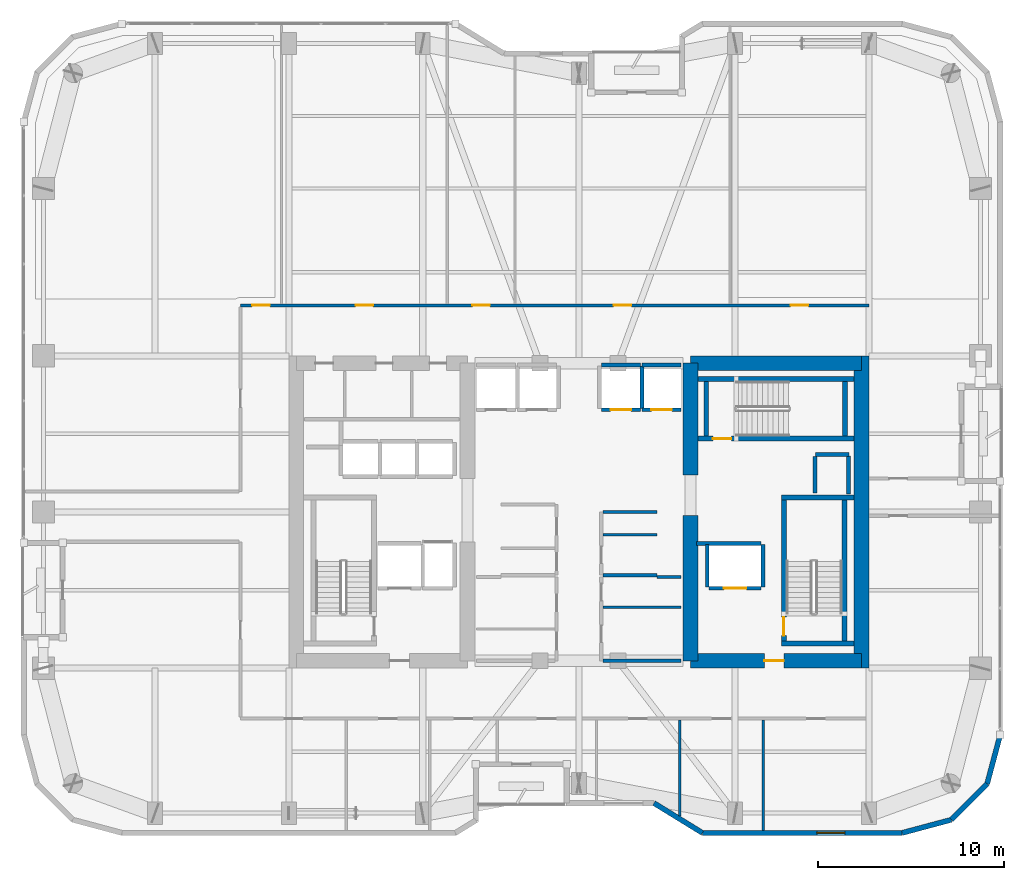
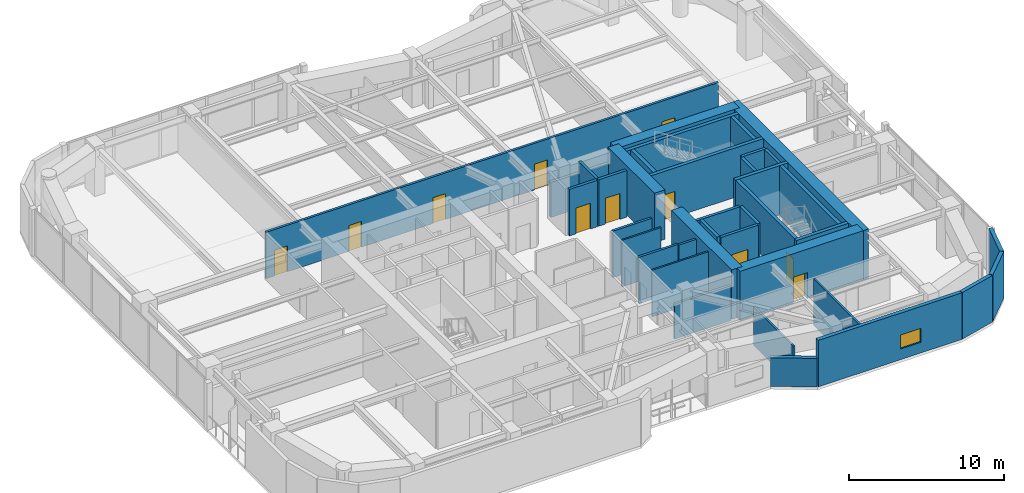
# One storey, part 26 of 30: 39 walls, 11 doors, 1 window, 12 openings.
"""IFC4 building model written with IfcOpenShell, lengths in metres."""

from ifc_helpers import new_model, si_unit, direction, frame, frame_2d, origin, place, context, subcontext, project, spatial, rectangle, extrude, material, layer, layer_set, type_object, element, fill, save


model = new_model("IFC4")

# Units and contexts
model_context = context("Model", 3, precision=1e-05, world=origin(), true_north=direction((0.0, 1.0)))
body_context = subcontext(model_context, "Body", "Model", "MODEL_VIEW")
ifc_project = project(units=[si_unit("LENGTHUNIT", "METRE"), si_unit("AREAUNIT", "SQUARE_METRE"), si_unit("VOLUMEUNIT", "CUBIC_METRE"), si_unit("PLANEANGLEUNIT", "RADIAN"), si_unit("MASSUNIT", "GRAM", prefix="KILO")], contexts=[model_context])

# Site, building, storey
site_placement = place(None, origin())
site = spatial("IfcSite", under=ifc_project, at=site_placement, CompositionType="ELEMENT")
building_placement = place(site_placement, origin())
building = spatial("IfcBuilding", under=site, at=building_placement, Name="Kiyonajd Concourse Tower", CompositionType="ELEMENT")
storey_placement = place(building_placement, frame((0.0, 0.0, 170.10009765625)))
storey = spatial("IfcBuildingStorey", under=building, at=storey_placement, Name="L43", CompositionType="ELEMENT", Elevation=170.10009765625)

# Walls
ifc_material_1 = material(Name="Concrete C70/85", Category="concrete")
ifc_layer_1 = layer(ifc_material_1, 0.800048828125)
ifc_layer_set_1 = layer_set([ifc_layer_1], Name="Concrete C70/85")
wall_type_1 = type_object("IfcWallType", Name="WL-CORE-800", PredefinedType="SHEAR", material=ifc_layer_set_1)
wall_1_placement = place(storey_placement, frame((54.0, 28.0, 0.0), z_axis=(0.0, 0.0, 1.0), x_axis=(0.0, 1.0, 0.0)))
element("IfcWall", 1, at=wall_1_placement, inside=storey, type_object=wall_type_1, Name="L43 East Core Inner South Shear Wall", PredefinedType="SHEAR", context=body_context, shape_type="SweptSolid", body=[
    extrude(rectangle(XDim=7.800048828125, YDim=0.800048828125, at=frame_2d((3.89990234375, 0.0))), origin(), (0.0, 0.0, 1.0), 3.89990234375),
])
wall_2_placement = place(storey_placement, frame((54.0, 38.0, 0.0), z_axis=(0.0, 0.0, 1.0), x_axis=(0.0, 1.0, 0.0)))
element("IfcWall", 2, at=wall_2_placement, inside=storey, type_object=wall_type_1, Name="L43 East Core Inner North Shear Wall", PredefinedType="SHEAR", context=body_context, shape_type="SweptSolid", body=[
    extrude(rectangle(XDim=6.0, YDim=0.800048828125, at=frame_2d((3.0, 0.0))), origin(), (0.0, 0.0, 1.0), 3.89990234375),
])
wall_3_placement = place(storey_placement, frame((63.199951171875, 27.60009765625, 0.0), z_axis=(0.0, 0.0, 1.0), x_axis=(0.0, 1.0, 0.0)))
element("IfcWall", 3, at=wall_3_placement, inside=storey, type_object=wall_type_1, Name="L43 East Core Outer Shear Wall", PredefinedType="SHEAR", context=body_context, shape_type="SweptSolid", body=[
    extrude(rectangle(XDim=16.7998046875, YDim=0.800048828125, at=frame_2d((8.39990234375, 0.0))), origin(), (0.0, 0.0, 1.0), 3.89990234375),
])

# Wall, opening, door
wall_4_placement = place(storey_placement, frame((54.0, 28.0, 0.0), z_axis=(0.0, 0.0, 1.0), x_axis=(1.0, 0.0, 0.0)))
wall_4 = element("IfcWall", 4, at=wall_4_placement, inside=storey, type_object=wall_type_1, Name="L43 East Core South Shear Wall", PredefinedType="SHEAR", context=body_context, shape_type="SweptSolid", body=[
    extrude(rectangle(XDim=9.199951171875, YDim=0.800048828125, at=frame_2d((4.60009765625, 0.0))), origin(), (0.0, 0.0, 1.0), 3.89990234375),
])
opening_1_placement = place(wall_4_placement, frame((3.97509765625, 0.0, 0.0)))
opening_1 = element("IfcOpeningElement", 5, at=opening_1_placement, cuts=wall_4, Name="Opening DF5", PredefinedType="OPENING", context=body_context, shape_type="SweptSolid", body=[
    extrude(rectangle(XDim=1.050048828125, YDim=2.0400390625, at=frame_2d((0.52490234375, 1.02001953125))), frame((0.0, 0.409912109375, 0.0), z_axis=(0.0, -1.0, 0.0), x_axis=(1.0, 0.0, 0.0)), (0.0, 0.0, 1.0), 0.820068359375),
])
ifc_material_2 = material(Name="Brushed Stainless Steel Cab Assembly", Category="steel")
door_type_1 = type_object("IfcDoorType", Name="DR-FD45-1050", OperationType="NOTDEFINED", PredefinedType="DOOR", material=ifc_material_2)
door_1_placement = place(opening_1_placement, origin())
door_1 = element("IfcDoor", 6, at=door_1_placement, inside=storey, type_object=door_type_1, Name="L43 Firefighting Lift Lobby E Smoke Door", OperationType="SINGLE_SWING_RIGHT", OverallHeight=2.0400390625, OverallWidth=1.050048828125, PredefinedType="DOOR", context=body_context, shape_type="SweptSolid", body=[
    extrude(rectangle(XDim=1.050048828125, YDim=2.0400390625, at=frame_2d((0.52490234375, 1.02001953125))), frame((0.0, 0.02490234375, 0.0), z_axis=(0.0, -1.0, 0.0), x_axis=(1.0, 0.0, 0.0)), (0.0, 0.0, 1.0), 0.050048828125),
])
fill(opening_1, door_1)

# Walls
wall_5_placement = place(storey_placement, frame((54.0, 44.0, 0.0), z_axis=(0.0, 0.0, 1.0), x_axis=(1.0, 0.0, 0.0)))
element("IfcWall", 7, at=wall_5_placement, inside=storey, type_object=wall_type_1, Name="L43 East Core North Shear Wall", PredefinedType="SHEAR", context=body_context, shape_type="SweptSolid", body=[
    extrude(rectangle(XDim=9.199951171875, YDim=0.800048828125, at=frame_2d((4.60009765625, 0.0))), origin(), (0.0, 0.0, 1.0), 3.89990234375),
])
ifc_material_3 = material(Name="Precast concrete C50/60", Category="concrete")
ifc_layer_2 = layer(ifc_material_3, 0.280029296875)
ifc_layer_set_2 = layer_set([ifc_layer_2], Name="Precast concrete C50/60")
wall_type_2 = type_object("IfcWallType", Name="WL-EXT-280", PredefinedType="SOLIDWALL", material=ifc_layer_set_2)
wall_6_placement = place(storey_placement, frame((70.659912109375, 24.018310546875, 0.0), z_axis=(0.0, 0.0, 1.0), x_axis=(-0.258672222976, -0.9659651552, 0.0)))
element("IfcWall", 8, at=wall_6_placement, inside=storey, type_object=wall_type_2, Name="L43 Exterior Concrete Frame Wall 25", PredefinedType="SOLIDWALL", context=body_context, shape_type="SweptSolid", body=[
    extrude(rectangle(XDim=2.739013671875, YDim=0.280029296875, at=frame_2d((1.36962890625, 0.0))), origin(), (0.0, 0.0, 1.0), 3.679931640625),
])
wall_7_placement = place(storey_placement, frame((69.951416015625, 21.37255859375, 0.0), z_axis=(0.0, 0.0, 1.0), x_axis=(-0.707061915429, -0.707151644098, 0.0)))
element("IfcWall", 9, at=wall_7_placement, inside=storey, type_object=wall_type_2, Name="L43 Exterior Concrete Frame Wall 26", PredefinedType="SOLIDWALL", context=body_context, shape_type="SweptSolid", body=[
    extrude(rectangle(XDim=2.720947265625, YDim=0.280029296875, at=frame_2d((1.3603515625, 0.0))), origin(), (0.0, 0.0, 1.0), 3.679931640625),
])
wall_8_placement = place(storey_placement, frame((68.027587890625, 19.448486328125, 0.0), z_axis=(0.0, 0.0, 1.0), x_axis=(-0.965971118627, -0.258649952598, 0.0)))
element("IfcWall", 10, at=wall_8_placement, inside=storey, type_object=wall_type_2, Name="L43 Exterior Concrete Frame Wall 27", PredefinedType="SOLIDWALL", context=body_context, shape_type="SweptSolid", body=[
    extrude(rectangle(XDim=2.7392578125, YDim=0.280029296875, at=frame_2d((1.36962890625, 0.0))), origin(), (0.0, 0.0, 1.0), 3.679931640625),
])

# Wall, opening, window
wall_9_placement = place(storey_placement, frame((65.381591796875, 18.739990234375, 0.0), z_axis=(0.0, 0.0, 1.0), x_axis=(-1.0, 0.0, 0.0)))
wall_9 = element("IfcWall", 11, at=wall_9_placement, inside=storey, type_object=wall_type_2, Name="L43 Exterior Concrete Frame Wall 28", PredefinedType="SOLIDWALL", context=body_context, shape_type="SweptSolid", body=[
    extrude(rectangle(XDim=10.741943359375, YDim=0.280029296875, at=frame_2d((5.37109375, 0.0))), origin(), (0.0, 0.0, 1.0), 3.679931640625),
])
opening_2_placement = place(wall_9_placement, frame((3.0810546875, 0.0, 0.85009765625)))
opening_2 = element("IfcOpeningElement", 12, at=opening_2_placement, cuts=wall_9, Name="Opening WN2", PredefinedType="OPENING", context=body_context, shape_type="SweptSolid", body=[
    extrude(rectangle(XDim=1.5, YDim=1.10009765625, at=frame_2d((0.75, 0.550048828125))), frame((0.0, 0.14990234375, 0.0), z_axis=(0.0, -1.0, 0.0), x_axis=(1.0, 0.0, 0.0)), (0.0, 0.0, 1.0), 0.300048828125),
])
ifc_material_4 = material(Name="Double Low-E Insulated Glass", Category="glass")
window_type = type_object("IfcWindowType", Name="WN-VIS-1500x1100", PartitioningType="SINGLE_PANEL", PredefinedType="WINDOW", material=ifc_material_4)
window_placement = place(opening_2_placement, origin())
window = element("IfcWindow", 13, at=window_placement, inside=storey, type_object=window_type, Name="L43 Modular Facade Vision Window 28", OverallHeight=1.10009765625, OverallWidth=1.5, PartitioningType="SINGLE_PANEL", PredefinedType="WINDOW", context=body_context, shape_type="SweptSolid", body=[
    extrude(rectangle(XDim=1.5, YDim=1.10009765625, at=frame_2d((0.75, 0.550048828125))), frame((0.0, 0.030029296875, 0.0), z_axis=(0.0, -1.0, 0.0), x_axis=(1.0, 0.0, 0.0)), (0.0, 0.0, 1.0), 0.06005859375),
])
fill(opening_2, window)

# Walls
wall_10_placement = place(storey_placement, frame((54.6396484375, 18.739990234375, 0.0), z_axis=(0.0, 0.0, 1.0), x_axis=(-0.851652825334, 0.524106349037, 0.0)))
element("IfcWall", 14, at=wall_10_placement, inside=storey, type_object=wall_type_2, Name="L43 Exterior Concrete Frame Wall 29", PredefinedType="SOLIDWALL", context=body_context, shape_type="SweptSolid", body=[
    extrude(rectangle(XDim=3.052978515625, YDim=0.280029296875, at=frame_2d((1.5263671875, 0.0))), origin(), (0.0, 0.0, 1.0), 2.264892578125),
])
ifc_material_5 = material(Name="Gypsum Board on Cold-Formed Steel Stud", Category="steel")
ifc_layer_3 = layer(ifc_material_5, 0.125)
ifc_layer_set_3 = layer_set([ifc_layer_3], Name="Gypsum Board on Cold-Formed Steel Stud")
wall_type_3 = type_object("IfcWallType", Name="WL-PART-125", PredefinedType="PARTITIONING", material=ifc_layer_set_3)
wall_11_placement = place(storey_placement, frame((49.287109375, 34.77587890625, 0.0), z_axis=(0.0, 0.0, 1.0), x_axis=(1.0, 0.0, 0.0)))
element("IfcWall", 15, at=wall_11_placement, inside=storey, type_object=wall_type_3, Name="L43 Interior Partition Wall", PredefinedType="PARTITIONING", context=body_context, shape_type="SweptSolid", body=[
    extrude(rectangle(XDim=2.912841796875, YDim=0.125, at=frame_2d((1.45654296875, 0.0))), origin(), (0.0, 0.0, 1.0), 3.679931640625),
])
wall_12_placement = place(storey_placement, frame((49.287109375, 30.8798828125, 0.0), z_axis=(0.0, 0.0, 1.0), x_axis=(1.0, 0.0, 0.0)))
element("IfcWall", 16, at=wall_12_placement, inside=storey, type_object=wall_type_3, Name="L43 Interior Partition Wall", PredefinedType="PARTITIONING", context=body_context, shape_type="SweptSolid", body=[
    extrude(rectangle(XDim=4.212890625, YDim=0.125, at=frame_2d((2.1064453125, 0.0))), origin(), (0.0, 0.0, 1.0), 3.679931640625),
])
wall_13_placement = place(storey_placement, frame((53.429931640625, 19.653076171875, 0.0), z_axis=(0.0, 0.0, 1.0), x_axis=(0.0, 1.0, 0.0)))
element("IfcWall", 17, at=wall_13_placement, inside=storey, type_object=wall_type_3, Name="L43 Interior Partition Wall", PredefinedType="PARTITIONING", context=body_context, shape_type="SweptSolid", body=[
    extrude(rectangle(XDim=5.14990234375, YDim=0.125, at=frame_2d((2.574951171875, 0.0))), origin(), (0.0, 0.0, 1.0), 3.04296875),
])
wall_14_placement = place(storey_placement, frame((57.909912109375, 18.875, 0.0), z_axis=(0.0, 0.0, 1.0), x_axis=(0.0, 1.0, 0.0)))
element("IfcWall", 18, at=wall_14_placement, inside=storey, type_object=wall_type_3, Name="L43 Interior Partition Wall", PredefinedType="PARTITIONING", context=body_context, shape_type="SweptSolid", body=[
    extrude(rectangle(XDim=5.927978515625, YDim=0.125, at=frame_2d((2.9638671875, 0.0))), origin(), (0.0, 0.0, 1.0), 3.679931640625),
])
ifc_layer_4 = layer(ifc_material_5, 0.2099609375)
ifc_layer_set_4 = layer_set([ifc_layer_4], Name="Gypsum Board on Cold-Formed Steel Stud")
wall_type_4 = type_object("IfcWallType", Name="WL-SHAFT-210", PredefinedType="PARTITIONING", material=ifc_layer_set_4)
wall_15_placement = place(storey_placement, frame((60.719970703125, 39.10009765625, 0.0), z_axis=(0.0, 0.0, 1.0), x_axis=(1.0, 0.0, 0.0)))
element("IfcWall", 19, at=wall_15_placement, inside=storey, type_object=wall_type_4, Name="L43 Shaft Enclosure Wall", PredefinedType="PARTITIONING", context=body_context, shape_type="SweptSolid", body=[
    extrude(rectangle(XDim=1.800048828125, YDim=0.2099609375, at=frame_2d((0.89990234375, 0.0))), origin(), (0.0, 0.0, 1.0), 3.679931640625),
])
wall_16_placement = place(storey_placement, frame((60.699951171875, 37.02001953125, 0.0), z_axis=(0.0, 0.0, 1.0), x_axis=(0.0, 1.0, 0.0)))
element("IfcWall", 20, at=wall_16_placement, inside=storey, type_object=wall_type_4, Name="L43 Shaft Enclosure Wall", PredefinedType="PARTITIONING", context=body_context, shape_type="SweptSolid", body=[
    extrude(rectangle(XDim=1.9599609375, YDim=0.2099609375, at=frame_2d((0.97998046875, 0.0))), origin(), (0.0, 0.0, 1.0), 3.679931640625),
])
wall_17_placement = place(storey_placement, frame((62.5, 36.97998046875, 0.0), z_axis=(0.0, 0.0, 1.0), x_axis=(0.0, 1.0, 0.0)))
element("IfcWall", 21, at=wall_17_placement, inside=storey, type_object=wall_type_4, Name="L43 Shaft Enclosure Wall", PredefinedType="PARTITIONING", context=body_context, shape_type="SweptSolid", body=[
    extrude(rectangle(XDim=2.0400390625, YDim=0.2099609375, at=frame_2d((1.02001953125, 0.0))), origin(), (0.0, 0.0, 1.0), 3.679931640625),
])

# Wall, opening, door
wall_18_placement = place(storey_placement, frame((55.0, 31.89990234375, 0.0), z_axis=(0.0, 0.0, 1.0), x_axis=(1.0, 0.0, 0.0)))
wall_18 = element("IfcWall", 22, at=wall_18_placement, inside=storey, type_object=wall_type_4, Name="L43 Shaft Enclosure Wall", PredefinedType="PARTITIONING", context=body_context, shape_type="SweptSolid", body=[
    extrude(rectangle(XDim=2.800048828125, YDim=0.2099609375, at=frame_2d((1.39990234375, 0.0))), origin(), (0.0, 0.0, 1.0), 3.679931640625),
])
opening_3_placement = place(wall_18_placement, frame((0.800048828125, 0.0, 0.0)))
opening_3 = element("IfcOpeningElement", 23, at=opening_3_placement, cuts=wall_18, Name="Opening LD2", PredefinedType="OPENING", context=body_context, shape_type="SweptSolid", body=[
    extrude(rectangle(XDim=1.199951171875, YDim=2.0400390625, at=frame_2d((0.60009765625, 1.02001953125))), frame((0.0, 0.114990234375, 0.0), z_axis=(0.0, -1.0, 0.0), x_axis=(1.0, 0.0, 0.0)), (0.0, 0.0, 1.0), 0.22998046875),
])
door_type_2 = type_object("IfcDoorType", Name="DR-LD-1200", OperationType="DOUBLE_DOOR_SLIDING", PredefinedType="DOOR", material=ifc_material_2)
door_2_placement = place(opening_3_placement, origin())
door_2 = element("IfcDoor", 24, at=door_2_placement, inside=storey, type_object=door_type_2, Name="L43 Lift FFL2 Sliding Landing Door", OperationType="DOUBLE_DOOR_SLIDING", OverallHeight=2.0400390625, OverallWidth=1.199951171875, PredefinedType="DOOR", context=body_context, shape_type="SweptSolid", body=[
    extrude(rectangle(XDim=1.199951171875, YDim=2.0400390625, at=frame_2d((0.60009765625, 1.02001953125))), frame((0.0, 0.02490234375, 0.0), z_axis=(0.0, -1.0, 0.0), x_axis=(1.0, 0.0, 0.0)), (0.0, 0.0, 1.0), 0.050048828125),
])
fill(opening_3, door_2)

# Walls
wall_19_placement = place(storey_placement, frame((54.320068359375, 34.300048828125, 0.0), z_axis=(0.0, 0.0, 1.0), x_axis=(1.0, 0.0, 0.0)))
element("IfcWall", 25, at=wall_19_placement, inside=storey, type_object=wall_type_4, Name="L43 Shaft Enclosure Wall", PredefinedType="PARTITIONING", context=body_context, shape_type="SweptSolid", body=[
    extrude(rectangle(XDim=3.47998046875, YDim=0.2099609375, at=frame_2d((1.739990234375, 0.0))), origin(), (0.0, 0.0, 1.0), 3.679931640625),
])
for number, where, z_axis, x_axis, name in (
    (26, (54.89990234375, 31.9599609375, 0.0), (0.0, 0.0, 1.0), (0.0, 1.0, 0.0), "L43 Shaft Enclosure Wall"),
    (27, (57.89990234375, 31.9599609375, 0.0), (0.0, 0.0, 1.0), (0.0, 1.0, 0.0), "L43 Shaft Enclosure Wall"),
):
    element("IfcWall", number, at=place(storey_placement, frame(where, z_axis=z_axis, x_axis=x_axis)), inside=storey, type_object=wall_type_4, Name=name, PredefinedType="PARTITIONING", context=body_context, shape_type="SweptSolid", body=[
        extrude(rectangle(XDim=2.280029296875, YDim=0.2099609375, at=frame_2d((1.14013671875, 0.0))), origin(), (0.0, 0.0, 1.0), 3.679931640625),
    ])

# Wall, opening, door
wall_20_placement = place(storey_placement, frame((49.199951171875, 41.5, 0.0), z_axis=(0.0, 0.0, 1.0), x_axis=(1.0, 0.0, 0.0)))
wall_20 = element("IfcWall", 28, at=wall_20_placement, inside=storey, type_object=wall_type_4, Name="L43 Shaft Enclosure Wall", PredefinedType="PARTITIONING", context=body_context, shape_type="SweptSolid", body=[
    extrude(rectangle(XDim=2.10009765625, YDim=0.2099609375, at=frame_2d((1.050048828125, 0.0))), origin(), (0.0, 0.0, 1.0), 3.679931640625),
])
opening_4_placement = place(wall_20_placement, frame((0.5, 0.0, 0.0)))
opening_4 = element("IfcOpeningElement", 29, at=opening_4_placement, cuts=wall_20, Name="Opening LD1", PredefinedType="OPENING", context=body_context, shape_type="SweptSolid", body=[
    extrude(rectangle(XDim=1.10009765625, YDim=2.0400390625, at=frame_2d((0.550048828125, 1.02001953125))), frame((0.0, 0.114990234375, 0.0), z_axis=(0.0, -1.0, 0.0), x_axis=(1.0, 0.0, 0.0)), (0.0, 0.0, 1.0), 0.22998046875),
])
door_type_3 = type_object("IfcDoorType", Name="DR-LD-1100", OperationType="DOUBLE_DOOR_SLIDING", PredefinedType="DOOR", material=ifc_material_2)
door_3_placement = place(opening_4_placement, origin())
door_3 = element("IfcDoor", 30, at=door_3_placement, inside=storey, type_object=door_type_3, Name="L43 Lift PL-M3 Sliding Landing Door", OperationType="DOUBLE_DOOR_SLIDING", OverallHeight=2.0400390625, OverallWidth=1.10009765625, PredefinedType="DOOR", context=body_context, shape_type="SweptSolid", body=[
    extrude(rectangle(XDim=1.10009765625, YDim=2.0400390625, at=frame_2d((0.550048828125, 1.02001953125))), frame((0.0, 0.02490234375, 0.0), z_axis=(0.0, -1.0, 0.0), x_axis=(1.0, 0.0, 0.0)), (0.0, 0.0, 1.0), 0.050048828125),
])
fill(opening_4, door_3)

# Walls
wall_21_placement = place(storey_placement, frame((49.199951171875, 43.89990234375, 0.0), z_axis=(0.0, 0.0, 1.0), x_axis=(1.0, 0.0, 0.0)))
element("IfcWall", 31, at=wall_21_placement, inside=storey, type_object=wall_type_4, Name="L43 Shaft Enclosure Wall", PredefinedType="PARTITIONING", context=body_context, shape_type="SweptSolid", body=[
    extrude(rectangle(XDim=2.10009765625, YDim=0.2099609375, at=frame_2d((1.050048828125, 0.0))), origin(), (0.0, 0.0, 1.0), 2.764892578125),
])
wall_22_placement = place(storey_placement, frame((51.39990234375, 41.56005859375, 0.0), z_axis=(0.0, 0.0, 1.0), x_axis=(0.0, 1.0, 0.0)))
element("IfcWall", 32, at=wall_22_placement, inside=storey, type_object=wall_type_4, Name="L43 Shaft Enclosure Wall", PredefinedType="PARTITIONING", context=body_context, shape_type="SweptSolid", body=[
    extrude(rectangle(XDim=2.280029296875, YDim=0.2099609375, at=frame_2d((1.14013671875, 0.0))), origin(), (0.0, 0.0, 1.0), 3.679931640625),
])

# Wall, opening, door
wall_23_placement = place(storey_placement, frame((51.39990234375, 41.5, 0.0), z_axis=(0.0, 0.0, 1.0), x_axis=(1.0, 0.0, 0.0)))
wall_23 = element("IfcWall", 33, at=wall_23_placement, inside=storey, type_object=wall_type_4, Name="L43 Shaft Enclosure Wall", PredefinedType="PARTITIONING", context=body_context, shape_type="SweptSolid", body=[
    extrude(rectangle(XDim=2.10009765625, YDim=0.2099609375, at=frame_2d((1.050048828125, 0.0))), origin(), (0.0, 0.0, 1.0), 3.679931640625),
])
opening_5_placement = place(wall_23_placement, frame((0.5, 0.0, 0.0)))
opening_5 = element("IfcOpeningElement", 34, at=opening_5_placement, cuts=wall_23, Name="Opening LD1", PredefinedType="OPENING", context=body_context, shape_type="SweptSolid", body=[
    extrude(rectangle(XDim=1.10009765625, YDim=2.0400390625, at=frame_2d((0.550048828125, 1.02001953125))), frame((0.0, 0.114990234375, 0.0), z_axis=(0.0, -1.0, 0.0), x_axis=(1.0, 0.0, 0.0)), (0.0, 0.0, 1.0), 0.22998046875),
])
door_4_placement = place(opening_5_placement, origin())
door_4 = element("IfcDoor", 35, at=door_4_placement, inside=storey, type_object=door_type_3, Name="L43 Lift PL-M4 Sliding Landing Door", OperationType="DOUBLE_DOOR_SLIDING", OverallHeight=2.0400390625, OverallWidth=1.10009765625, PredefinedType="DOOR", context=body_context, shape_type="SweptSolid", body=[
    extrude(rectangle(XDim=1.10009765625, YDim=2.0400390625, at=frame_2d((0.550048828125, 1.02001953125))), frame((0.0, 0.02490234375, 0.0), z_axis=(0.0, -1.0, 0.0), x_axis=(1.0, 0.0, 0.0)), (0.0, 0.0, 1.0), 0.050048828125),
])
fill(opening_5, door_4)

# Walls
wall_24_placement = place(storey_placement, frame((51.39990234375, 43.89990234375, 0.0), z_axis=(0.0, 0.0, 1.0), x_axis=(1.0, 0.0, 0.0)))
element("IfcWall", 36, at=wall_24_placement, inside=storey, type_object=wall_type_4, Name="L43 Shaft Enclosure Wall", PredefinedType="PARTITIONING", context=body_context, shape_type="SweptSolid", body=[
    extrude(rectangle(XDim=2.10009765625, YDim=0.2099609375, at=frame_2d((1.050048828125, 0.0))), origin(), (0.0, 0.0, 1.0), 2.764892578125),
])
ifc_layer_5 = layer(ifc_material_5, 0.169921875)
ifc_layer_set_5 = layer_set([ifc_layer_5], Name="Gypsum Board on Cold-Formed Steel Stud")
wall_type_5 = type_object("IfcWallType", Name="WL-SMK-170", PredefinedType="PARTITIONING", material=ifc_layer_set_5)
for number, where, z_axis, x_axis, name in (
    (37, (49.287109375, 32.60009765625, 0.0), (0.0, 0.0, 1.0), (1.0, 0.0, 0.0), "L43 Interior Partition Wall"),
    (38, (49.287109375, 36.0, 0.0), (0.0, 0.0, 1.0), (1.0, 0.0, 0.0), "L43 Interior Partition Wall"),
):
    element("IfcWall", number, at=place(storey_placement, frame(where, z_axis=z_axis, x_axis=x_axis)), inside=storey, type_object=wall_type_5, Name=name, PredefinedType="PARTITIONING", context=body_context, shape_type="SweptSolid", body=[
        extrude(rectangle(XDim=2.912841796875, YDim=0.169921875, at=frame_2d((1.45654296875, 0.0))), origin(), (0.0, 0.0, 1.0), 3.679931640625),
    ])
wall_25_placement = place(storey_placement, frame((49.287109375, 28.0, 0.0), z_axis=(0.0, 0.0, 1.0), x_axis=(1.0, 0.0, 0.0)))
element("IfcWall", 39, at=wall_25_placement, inside=storey, type_object=wall_type_5, Name="L43 Interior Partition Wall", PredefinedType="PARTITIONING", context=body_context, shape_type="SweptSolid", body=[
    extrude(rectangle(XDim=4.212890625, YDim=0.169921875, at=frame_2d((2.1064453125, 0.0))), origin(), (0.0, 0.0, 1.0), 2.764892578125),
])
wall_26_placement = place(storey_placement, frame((52.199951171875, 32.5, 0.0), z_axis=(0.0, 0.0, 1.0), x_axis=(1.0, 0.0, 0.0)))
element("IfcWall", 40, at=wall_26_placement, inside=storey, type_object=wall_type_5, Name="L43 Interior Partition Wall", PredefinedType="PARTITIONING", context=body_context, shape_type="SweptSolid", body=[
    extrude(rectangle(XDim=1.300048828125, YDim=0.169921875, at=frame_2d((0.64990234375, 0.0))), origin(), (0.0, 0.0, 1.0), 3.679931640625),
])

# Wall, openings, doors
wall_27_placement = place(storey_placement, frame((29.800048828125, 47.110107421875, 0.0), z_axis=(0.0, 0.0, 1.0), x_axis=(1.0, 0.0, 0.0)))
wall_27 = element("IfcWall", 41, at=wall_27_placement, inside=storey, type_object=wall_type_5, Name="L43 Interior Partition Wall", PredefinedType="PARTITIONING", context=body_context, shape_type="SweptSolid", body=[
    extrude(rectangle(XDim=33.800048828125, YDim=0.169921875, at=frame_2d((16.89990234375, 0.0))), origin(), (0.0, 0.0, 1.0), 3.679931640625),
])
opening_6_placement = place(wall_27_placement, frame((0.625, 0.0, 0.0)))
opening_6 = element("IfcOpeningElement", 42, at=opening_6_placement, cuts=wall_27, Name="Opening DI1", PredefinedType="OPENING", context=body_context, shape_type="SweptSolid", body=[
    extrude(rectangle(XDim=0.949951171875, YDim=2.0400390625, at=frame_2d((0.47509765625, 1.02001953125))), frame((0.0, 0.094970703125, 0.0), z_axis=(0.0, -1.0, 0.0), x_axis=(1.0, 0.0, 0.0)), (0.0, 0.0, 1.0), 0.18994140625),
])
opening_7_placement = place(wall_27_placement, frame((6.18505859375, 0.0, 0.0)))
opening_7 = element("IfcOpeningElement", 43, at=opening_7_placement, cuts=wall_27, Name="Opening DI1", PredefinedType="OPENING", context=body_context, shape_type="SweptSolid", body=[
    extrude(rectangle(XDim=0.949951171875, YDim=2.0400390625, at=frame_2d((0.47509765625, 1.02001953125))), frame((0.0, 0.094970703125, 0.0), z_axis=(0.0, -1.0, 0.0), x_axis=(1.0, 0.0, 0.0)), (0.0, 0.0, 1.0), 0.18994140625),
])
opening_8_placement = place(wall_27_placement, frame((12.465087890625, 0.0, 0.0)))
opening_8 = element("IfcOpeningElement", 44, at=opening_8_placement, cuts=wall_27, Name="Opening DI1", PredefinedType="OPENING", context=body_context, shape_type="SweptSolid", body=[
    extrude(rectangle(XDim=0.949951171875, YDim=2.0400390625, at=frame_2d((0.47509765625, 1.02001953125))), frame((0.0, 0.094970703125, 0.0), z_axis=(0.0, -1.0, 0.0), x_axis=(1.0, 0.0, 0.0)), (0.0, 0.0, 1.0), 0.18994140625),
])
opening_9_placement = place(wall_27_placement, frame((20.06494140625, 0.0, 0.0)))
opening_9 = element("IfcOpeningElement", 45, at=opening_9_placement, cuts=wall_27, Name="Opening DI1", PredefinedType="OPENING", context=body_context, shape_type="SweptSolid", body=[
    extrude(rectangle(XDim=0.949951171875, YDim=2.0400390625, at=frame_2d((0.47509765625, 1.02001953125))), frame((0.0, 0.094970703125, 0.0), z_axis=(0.0, -1.0, 0.0), x_axis=(1.0, 0.0, 0.0)), (0.0, 0.0, 1.0), 0.18994140625),
])
opening_10_placement = place(wall_27_placement, frame((29.5849609375, 0.0, 0.0)))
opening_10 = element("IfcOpeningElement", 46, at=opening_10_placement, cuts=wall_27, Name="Opening DI1", PredefinedType="OPENING", context=body_context, shape_type="SweptSolid", body=[
    extrude(rectangle(XDim=0.949951171875, YDim=2.0400390625, at=frame_2d((0.47509765625, 1.02001953125))), frame((0.0, 0.094970703125, 0.0), z_axis=(0.0, -1.0, 0.0), x_axis=(1.0, 0.0, 0.0)), (0.0, 0.0, 1.0), 0.18994140625),
])
ifc_material_6 = material(Name="Natural Oak Acoustic Timber Veneer", Category="wood")
door_type_4 = type_object("IfcDoorType", Name="DR-INT-950", OperationType="NOTDEFINED", PredefinedType="DOOR", material=ifc_material_6)
door_5_placement = place(opening_6_placement, origin())
door_5 = element("IfcDoor", 47, at=door_5_placement, inside=storey, type_object=door_type_4, Name="L43 Interior Door", OperationType="SINGLE_SWING_LEFT", OverallHeight=2.0400390625, OverallWidth=0.949951171875, PredefinedType="DOOR", context=body_context, shape_type="SweptSolid", body=[
    extrude(rectangle(XDim=0.949951171875, YDim=2.0400390625, at=frame_2d((0.47509765625, 1.02001953125))), frame((0.0, 0.02490234375, 0.0), z_axis=(0.0, -1.0, 0.0), x_axis=(1.0, 0.0, 0.0)), (0.0, 0.0, 1.0), 0.050048828125),
])
fill(opening_6, door_5)
door_6_placement = place(opening_7_placement, origin())
door_6 = element("IfcDoor", 48, at=door_6_placement, inside=storey, type_object=door_type_4, Name="L43 Interior Door", OperationType="SINGLE_SWING_RIGHT", OverallHeight=2.0400390625, OverallWidth=0.949951171875, PredefinedType="DOOR", context=body_context, shape_type="SweptSolid", body=[
    extrude(rectangle(XDim=0.949951171875, YDim=2.0400390625, at=frame_2d((0.47509765625, 1.02001953125))), frame((0.0, 0.02490234375, 0.0), z_axis=(0.0, -1.0, 0.0), x_axis=(1.0, 0.0, 0.0)), (0.0, 0.0, 1.0), 0.050048828125),
])
fill(opening_7, door_6)
door_7_placement = place(opening_8_placement, origin())
door_7 = element("IfcDoor", 49, at=door_7_placement, inside=storey, type_object=door_type_4, Name="L43 Interior Door", OperationType="SINGLE_SWING_LEFT", OverallHeight=2.0400390625, OverallWidth=0.949951171875, PredefinedType="DOOR", context=body_context, shape_type="SweptSolid", body=[
    extrude(rectangle(XDim=0.949951171875, YDim=2.0400390625, at=frame_2d((0.47509765625, 1.02001953125))), frame((0.0, 0.02490234375, 0.0), z_axis=(0.0, -1.0, 0.0), x_axis=(1.0, 0.0, 0.0)), (0.0, 0.0, 1.0), 0.050048828125),
])
fill(opening_8, door_7)
door_8_placement = place(opening_9_placement, origin())
door_8 = element("IfcDoor", 50, at=door_8_placement, inside=storey, type_object=door_type_4, Name="L43 Interior Door", OperationType="SINGLE_SWING_RIGHT", OverallHeight=2.0400390625, OverallWidth=0.949951171875, PredefinedType="DOOR", context=body_context, shape_type="SweptSolid", body=[
    extrude(rectangle(XDim=0.949951171875, YDim=2.0400390625, at=frame_2d((0.47509765625, 1.02001953125))), frame((0.0, 0.02490234375, 0.0), z_axis=(0.0, -1.0, 0.0), x_axis=(1.0, 0.0, 0.0)), (0.0, 0.0, 1.0), 0.050048828125),
])
fill(opening_9, door_8)
door_9_placement = place(opening_10_placement, origin())
door_9 = element("IfcDoor", 51, at=door_9_placement, inside=storey, type_object=door_type_4, Name="L43 Interior Door", OperationType="SINGLE_SWING_LEFT", OverallHeight=2.0400390625, OverallWidth=0.949951171875, PredefinedType="DOOR", context=body_context, shape_type="SweptSolid", body=[
    extrude(rectangle(XDim=0.949951171875, YDim=2.0400390625, at=frame_2d((0.47509765625, 1.02001953125))), frame((0.0, 0.02490234375, 0.0), z_axis=(0.0, -1.0, 0.0), x_axis=(1.0, 0.0, 0.0)), (0.0, 0.0, 1.0), 0.050048828125),
])
fill(opening_10, door_9)

# Walls
ifc_material_7 = material(Name="Concrete C50/60", Category="concrete")
ifc_layer_6 = layer(ifc_material_7, 0.260009765625)
ifc_layer_set_6 = layer_set([ifc_layer_6], Name="Concrete C50/60")
wall_type_6 = type_object("IfcWallType", Name="WL-STAIR-260", PredefinedType="SHEAR", material=ifc_layer_set_6)
for number, where, z_axis, x_axis, name in (
    (52, (58.889892578125, 28.919921875, 0.0), (0.0, 0.0, 1.0), (1.0, 0.0, 0.0), "L43 Stair ST2 Structural South Wall"),
    (53, (58.889892578125, 36.780029296875, 0.0), (0.0, 0.0, 1.0), (1.0, 0.0, 0.0), "L43 Stair ST2 Structural North Wall"),
):
    element("IfcWall", number, at=place(storey_placement, frame(where, z_axis=z_axis, x_axis=x_axis)), inside=storey, type_object=wall_type_6, Name=name, PredefinedType="SHEAR", context=body_context, shape_type="SweptSolid", body=[
        extrude(rectangle(XDim=3.91015625, YDim=0.260009765625, at=frame_2d((1.955078125, 0.0))), origin(), (0.0, 0.0, 1.0), 3.89990234375),
    ])

# Wall, opening, door
wall_28_placement = place(storey_placement, frame((59.02001953125, 29.050048828125, 0.0), z_axis=(0.0, 0.0, 1.0), x_axis=(0.0, 1.0, 0.0)))
wall_28 = element("IfcWall", 54, at=wall_28_placement, inside=storey, type_object=wall_type_6, Name="L43 Stair ST2 Structural West Wall", PredefinedType="SHEAR", context=body_context, shape_type="SweptSolid", body=[
    extrude(rectangle(XDim=7.599853515625, YDim=0.260009765625, at=frame_2d((3.7998046875, 0.0))), origin(), (0.0, 0.0, 1.0), 3.89990234375),
])
opening_11_placement = place(wall_28_placement, frame((0.300048828125, 0.0, 0.0)))
opening_11 = element("IfcOpeningElement", 55, at=opening_11_placement, cuts=wall_28, Name="Opening DF1", PredefinedType="OPENING", context=body_context, shape_type="SweptSolid", body=[
    extrude(rectangle(XDim=1.0, YDim=2.0400390625, at=frame_2d((0.5, 1.02001953125))), frame((0.0, 0.139892578125, 0.0), z_axis=(0.0, -1.0, 0.0), x_axis=(1.0, 0.0, 0.0)), (0.0, 0.0, 1.0), 0.280029296875),
])
door_type_5 = type_object("IfcDoorType", Name="DR-FD90-1000", OperationType="NOTDEFINED", PredefinedType="DOOR", material=ifc_material_2)
door_10_placement = place(opening_11_placement, origin())
door_10 = element("IfcDoor", 56, at=door_10_placement, inside=storey, type_object=door_type_5, Name="L43 Stair ST2 FSAE Door", OperationType="SINGLE_SWING_RIGHT", OverallHeight=2.0400390625, OverallWidth=1.0, PredefinedType="DOOR", context=body_context, shape_type="SweptSolid", body=[
    extrude(rectangle(XDim=1.0, YDim=2.0400390625, at=frame_2d((0.5, 1.02001953125))), frame((0.0, 0.02490234375, 0.0), z_axis=(0.0, -1.0, 0.0), x_axis=(1.0, 0.0, 0.0)), (0.0, 0.0, 1.0), 0.050048828125),
])
fill(opening_11, door_10)

# Wall
wall_29_placement = place(storey_placement, frame((62.280029296875, 29.050048828125, 0.0), z_axis=(0.0, 0.0, 1.0), x_axis=(0.0, 1.0, 0.0)))
element("IfcWall", 57, at=wall_29_placement, inside=storey, type_object=wall_type_6, Name="L43 Stair ST2 Structural East Wall", PredefinedType="SHEAR", context=body_context, shape_type="SweptSolid", body=[
    extrude(rectangle(XDim=7.599853515625, YDim=0.260009765625, at=frame_2d((3.7998046875, 0.0))), origin(), (0.0, 0.0, 1.0), 3.89990234375),
])

# Wall, opening, door
wall_30_placement = place(storey_placement, frame((54.39990234375, 39.949951171875, 0.0), z_axis=(0.0, 0.0, 1.0), x_axis=(1.0, 0.0, 0.0)))
wall_30 = element("IfcWall", 58, at=wall_30_placement, inside=storey, type_object=wall_type_6, Name="L43 Stair ST3 Structural South Wall", PredefinedType="SHEAR", context=body_context, shape_type="SweptSolid", body=[
    extrude(rectangle(XDim=8.400146484375, YDim=0.260009765625, at=frame_2d((4.2001953125, 0.0))), origin(), (0.0, 0.0, 1.0), 3.89990234375),
])
opening_12_placement = place(wall_30_placement, frame((0.800048828125, 0.0, 0.0)))
opening_12 = element("IfcOpeningElement", 59, at=opening_12_placement, cuts=wall_30, Name="Opening DF1", PredefinedType="OPENING", context=body_context, shape_type="SweptSolid", body=[
    extrude(rectangle(XDim=1.0, YDim=2.0400390625, at=frame_2d((0.5, 1.02001953125))), frame((0.0, 0.139892578125, 0.0), z_axis=(0.0, -1.0, 0.0), x_axis=(1.0, 0.0, 0.0)), (0.0, 0.0, 1.0), 0.280029296875),
])
door_11_placement = place(opening_12_placement, origin())
door_11 = element("IfcDoor", 60, at=door_11_placement, inside=storey, type_object=door_type_5, Name="L43 Stair ST3 Enclosure Door", OperationType="SINGLE_SWING_LEFT", OverallHeight=2.0400390625, OverallWidth=1.0, PredefinedType="DOOR", context=body_context, shape_type="SweptSolid", body=[
    extrude(rectangle(XDim=1.0, YDim=2.0400390625, at=frame_2d((0.5, 1.02001953125))), frame((0.0, 0.02490234375, 0.0), z_axis=(0.0, -1.0, 0.0), x_axis=(1.0, 0.0, 0.0)), (0.0, 0.0, 1.0), 0.050048828125),
])
fill(opening_12, door_11)

# Walls
wall_31_placement = place(storey_placement, frame((54.39990234375, 43.14990234375, 0.0), z_axis=(0.0, 0.0, 1.0), x_axis=(1.0, 0.0, 0.0)))
element("IfcWall", 61, at=wall_31_placement, inside=storey, type_object=wall_type_6, Name="L43 Stair ST3 Structural North Wall", PredefinedType="SHEAR", context=body_context, shape_type="SweptSolid", body=[
    extrude(rectangle(XDim=8.400146484375, YDim=0.260009765625, at=frame_2d((4.2001953125, 0.0))), origin(), (0.0, 0.0, 1.0), 3.89990234375),
])
for number, where, z_axis, x_axis, name in (
    (62, (54.85009765625, 40.080078125, 0.0), (0.0, 0.0, 1.0), (0.0, 1.0, 0.0), "L43 Stair ST3 Structural West Wall"),
    (63, (62.31005859375, 40.080078125, 0.0), (0.0, 0.0, 1.0), (0.0, 1.0, 0.0), "L43 Stair ST3 Structural East Wall"),
):
    element("IfcWall", number, at=place(storey_placement, frame(where, z_axis=z_axis, x_axis=x_axis)), inside=storey, type_object=wall_type_6, Name=name, PredefinedType="SHEAR", context=body_context, shape_type="SweptSolid", body=[
        extrude(rectangle(XDim=2.93994140625, YDim=0.260009765625, at=frame_2d((1.469970703125, 0.0))), origin(), (0.0, 0.0, 1.0), 3.89990234375),
    ])

save(model, "model.ifc")
